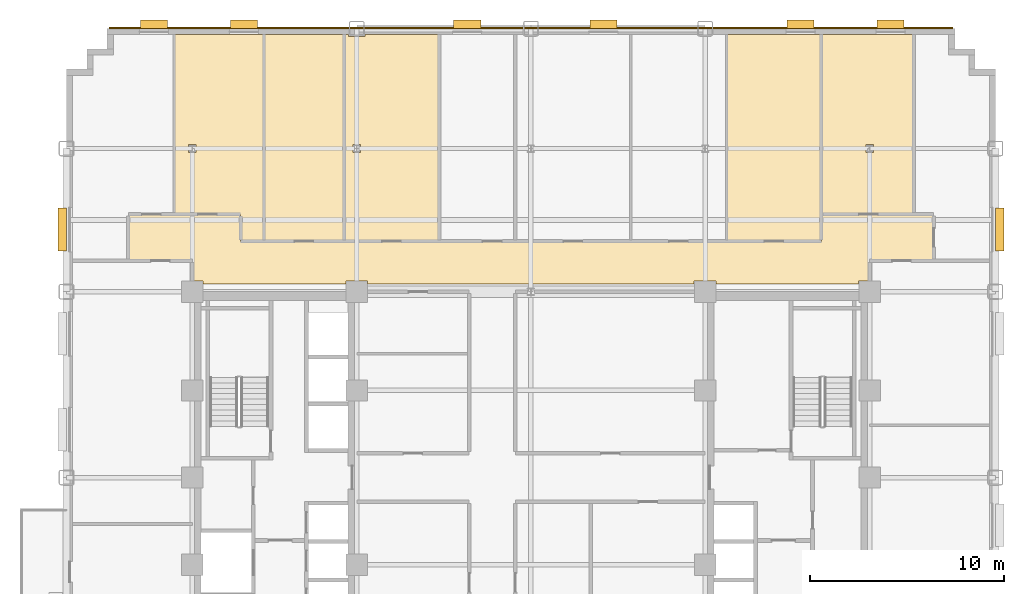
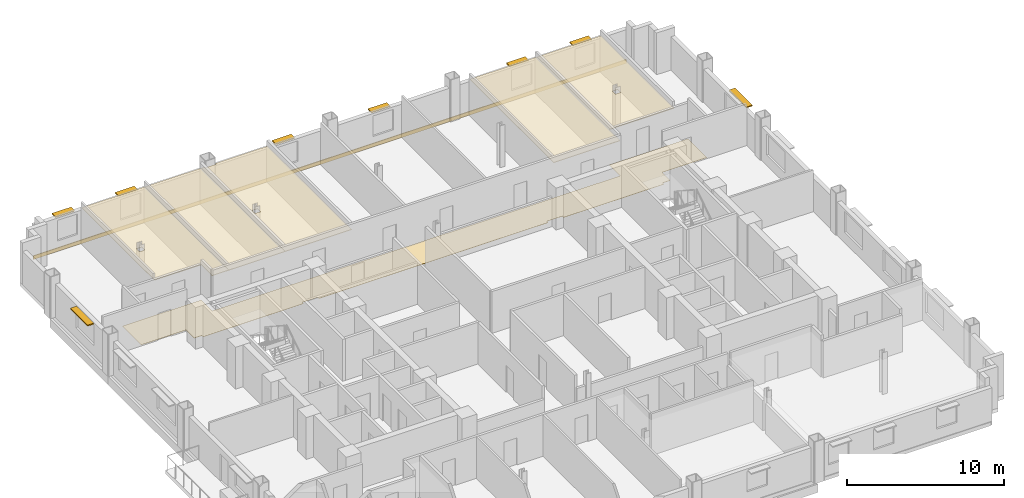
# One storey, part 14 of 14: 8 shading devices, 7 coverings.
"""IFC4 building model written with IfcOpenShell, lengths in metres."""

from ifc_helpers import new_model, si_unit, direction, frame, origin, origin_2d, place, context, subcontext, project, spatial, polyline, rectangle, outline, extrude, source, transform, mapped, material, layer, layer_set, type_object, type_shapes, element, save


model = new_model("IFC4")

# Units and contexts
model_context = context("Model", 3, precision=1e-05, world=origin(), true_north=direction((0.0, 1.0)))
body_context = subcontext(model_context, "Body", "Model", "MODEL_VIEW")
ifc_project = project(units=[si_unit("LENGTHUNIT", "METRE"), si_unit("AREAUNIT", "SQUARE_METRE"), si_unit("VOLUMEUNIT", "CUBIC_METRE"), si_unit("PLANEANGLEUNIT", "RADIAN"), si_unit("MASSUNIT", "GRAM", prefix="KILO")], contexts=[model_context])

# Site, building, storey
site_placement = place(None, origin())
site = spatial("IfcSite", under=ifc_project, at=site_placement, CompositionType="ELEMENT")
building_placement = place(site_placement, origin())
building = spatial("IfcBuilding", under=site, at=building_placement, Name="Nuvemarco Arch Tower", CompositionType="ELEMENT")
storey_placement = place(building_placement, frame((0.0, 0.0, 89.64990234375)))
storey = spatial("IfcBuildingStorey", under=building, at=storey_placement, Name="L23", CompositionType="ELEMENT", Elevation=89.64990234375)

# Coverings
ifc_material_1 = material(Name="Mineral acoustic ceiling tile")
ifc_layer_1 = layer(ifc_material_1, 0.0400390625, Name="COV-ACOUSTIC-CLG")
ifc_layer_set_1 = layer_set([ifc_layer_1], Name="Mineral acoustic ceiling tile")
covering_type_1 = type_object("IfcCoveringType", Name="COV-ACOUSTIC-CLG", PredefinedType="CEILING", material=ifc_layer_set_1)
covering_1_placement = place(storey_placement, frame((0.0, 0.0, 2.72998046875)))
element("IfcCovering", 1, at=covering_1_placement, inside=storey, type_object=covering_type_1, Name="L23 suspended acoustic ceiling 3", PredefinedType="CEILING", context=body_context, shape_type="SweptSolid", body=[
    extrude(outline(polyline([(15.070068359375, 22.8798828125), (15.070068359375, 13.60009765625), (15.0, 13.60009765625), (15.0, 12.199951171875), (10.110107421875, 12.199951171875), (10.110107421875, 22.8798828125), (15.070068359375, 22.8798828125)])), origin(), (0.0, 0.0, 1.0), 0.0400390625),
])
covering_2_placement = place(storey_placement, frame((0.0, 0.0, 2.72998046875)))
element("IfcCovering", 2, at=covering_2_placement, inside=storey, type_object=covering_type_1, Name="L23 suspended acoustic ceiling 5", PredefinedType="CEILING", context=body_context, shape_type="SweptSolid", body=[
    extrude(outline(polyline([(-4.739990234375, 12.199951171875), (-9.64990234375, 12.199951171875), (-9.64990234375, 22.8798828125), (-9.4150390625, 22.8798828125), (-9.4150390625, 22.784912109375), (-8.5849609375, 22.784912109375), (-8.5849609375, 22.8798828125), (-4.739990234375, 22.8798828125), (-4.739990234375, 12.199951171875)]), holes=[polyline([(-8.804931640625, 16.804931640625), (-8.804931640625, 17.195068359375), (-9.195068359375, 17.195068359375), (-9.195068359375, 16.804931640625), (-8.804931640625, 16.804931640625)])]), origin(), (0.0, 0.0, 1.0), 0.0400390625),
])
covering_3_placement = place(storey_placement, frame((0.0, 0.0, 2.72998046875)))
element("IfcCovering", 3, at=covering_3_placement, inside=storey, type_object=covering_type_1, Name="L23 suspended acoustic ceiling 6", PredefinedType="CEILING", context=body_context, shape_type="SweptSolid", body=[
    extrude(outline(polyline([(-13.7900390625, 22.8798828125), (-13.7900390625, 12.199951171875), (-15.0, 12.199951171875), (-15.0, 13.60009765625), (-18.429931640625, 13.60009765625), (-18.429931640625, 22.8798828125), (-13.7900390625, 22.8798828125)]), holes=[polyline([(-17.304931640625, 16.804931640625), (-17.304931640625, 17.195068359375), (-17.695068359375, 17.195068359375), (-17.695068359375, 16.804931640625), (-17.304931640625, 16.804931640625)])]), origin(), (0.0, 0.0, 1.0), 0.0400390625),
])
covering_4_placement = place(storey_placement, frame((0.0, 0.0, 2.72998046875)))
element("IfcCovering", 4, at=covering_4_placement, inside=storey, type_object=covering_type_1, Name="L23 suspended acoustic ceiling 8", PredefinedType="CEILING", context=body_context, shape_type="SweptSolid", body=[
    extrude(outline(polyline([(-13.7900390625, 12.199951171875), (-13.7900390625, 22.8798828125), (-9.64990234375, 22.8798828125), (-9.64990234375, 12.199951171875), (-13.7900390625, 12.199951171875)])), origin(), (0.0, 0.0, 1.0), 0.0400390625),
])
covering_5_placement = place(storey_placement, frame((0.0, 0.0, 2.72998046875)))
element("IfcCovering", 5, at=covering_5_placement, inside=storey, type_object=covering_type_1, Name="L23 suspended acoustic ceiling 9", PredefinedType="CEILING", context=body_context, shape_type="SweptSolid", body=[
    extrude(outline(polyline([(15.070068359375, 13.60009765625), (15.070068359375, 22.8798828125), (19.780029296875, 22.8798828125), (19.780029296875, 13.60009765625), (15.070068359375, 13.60009765625)]), holes=[polyline([(17.695068359375, 16.804931640625), (17.695068359375, 17.195068359375), (17.304931640625, 17.195068359375), (17.304931640625, 16.804931640625), (17.695068359375, 16.804931640625)])]), origin(), (0.0, 0.0, 1.0), 0.0400390625),
])
ifc_material_2 = material(Name="Polished granite terrazzostone flooring", Category="masonry")
ifc_layer_2 = layer(ifc_material_2, 0.02001953125, Name="COV-LOBBY-FLR")
ifc_layer_set_2 = layer_set([ifc_layer_2], Name="Polished granite terrazzostone flooring")
covering_type_2 = type_object("IfcCoveringType", Name="COV-LOBBY-FLR", PredefinedType="FLOORING", material=ifc_layer_set_2)
covering_6_placement = place(storey_placement, origin())
element("IfcCovering", 6, at=covering_6_placement, inside=storey, type_object=covering_type_2, Name="L23 polished terrazzo lobby flooring", PredefinedType="FLOORING", context=body_context, shape_type="SweptSolid", body=[
    extrude(outline(polyline([(-8.43505859375, 10.1650390625), (-9.56494140625, 10.1650390625), (-9.56494140625, 10.0), (-16.93505859375, 10.0), (-16.93505859375, 10.1650390625), (-17.5, 10.1650390625), (-17.5, 11.199951171875), (-20.800048828125, 11.199951171875), (-20.800048828125, 13.60009765625), (-15.0, 13.60009765625), (-15.0, 12.199951171875), (-3.199951171875, 12.199951171875), (-0.800048828125, 12.199951171875), (15.0, 12.199951171875), (15.0, 13.60009765625), (20.800048828125, 13.60009765625), (20.800048828125, 11.199951171875), (17.5, 11.199951171875), (17.5, 10.1650390625), (16.93505859375, 10.1650390625), (16.93505859375, 10.0), (9.56494140625, 10.0), (9.56494140625, 10.1650390625), (8.43505859375, 10.1650390625), (8.43505859375, 10.0), (-8.43505859375, 10.0), (-8.43505859375, 10.1650390625)])), origin(), (0.0, 0.0, 1.0), 0.02001953125),
])

# Shading devices
ifc_material_3 = material(Name="Anodised aluminium 6063-T6", Category="aluminium")
shading_device_type_1 = type_object("IfcShadingDeviceType", Name="SHD-BRISE-SOLEIL", PredefinedType="USERDEFINED", material=ifc_material_3)
shared_shape_1 = source(origin(), body_context, "Body", "SweptSolid", [
    extrude(rectangle(XDim=2.199951171875, YDim=0.449951171875, at=origin_2d()), origin(), (0.0, 0.0, 1.0), 0.080078125),
])
type_shapes(shading_device_type_1, [shared_shape_1])
for number, where, z_axis, x_axis, name in (
    (7, (24.215087890625, 12.81494140625, 2.425048828125), (0.0, 0.0, 1.0), (0.0, 1.0, 0.0), "L23 horizontal brise-soleil sunshade"),
    (8, (-24.215087890625, 12.81494140625, 2.425048828125), (0.0, 0.0, 1.0), (0.0, 1.0, 0.0), "L23 horizontal brise-soleil sunshade"),
):
    element("IfcShadingDevice", number, at=place(storey_placement, frame(where, z_axis=z_axis, x_axis=x_axis)), inside=storey, type_object=shading_device_type_1, Name=name, ObjectType="SUNSHADE", PredefinedType="USERDEFINED", context=body_context, shape_type="MappedRepresentation", body=[
        mapped(shared_shape_1, transform((0.0, 0.0, 0.0), scale=1.0)),
    ])
shading_device_type_2 = type_object("IfcShadingDeviceType", Name="SHD-BRISE-NARROW", PredefinedType="USERDEFINED", material=ifc_material_3)
shared_shape_2 = source(origin(), body_context, "Body", "SweptSolid", [
    extrude(rectangle(XDim=1.39990234375, YDim=0.449951171875, at=origin_2d()), origin(), (0.0, 0.0, 1.0), 0.080078125),
])
type_shapes(shading_device_type_2, [shared_shape_2])
for number, where, z_axis, x_axis, name in (
    (9, (-19.477783203125, 23.4150390625, 2.405029296875), (0.0, 0.0, 1.0), (1.0, 0.0, 0.0), "L23 horizontal brise-soleil sunshade"),
    (10, (-14.833251953125, 23.4150390625, 2.405029296875), (0.0, 0.0, 1.0), (1.0, 0.0, 0.0), "L23 horizontal brise-soleil sunshade"),
    (11, (-3.29443359375, 23.4150390625, 2.405029296875), (0.0, 0.0, 1.0), (1.0, 0.0, 0.0), "L23 horizontal brise-soleil sunshade"),
    (12, (3.744384765625, 23.4150390625, 2.405029296875), (0.0, 0.0, 1.0), (1.0, 0.0, 0.0), "L23 horizontal brise-soleil sunshade"),
    (13, (13.933349609375, 23.4150390625, 2.405029296875), (0.0, 0.0, 1.0), (1.0, 0.0, 0.0), "L23 horizontal brise-soleil sunshade"),
    (14, (18.577880859375, 23.4150390625, 2.405029296875), (0.0, 0.0, 1.0), (1.0, 0.0, 0.0), "L23 horizontal brise-soleil sunshade"),
):
    element("IfcShadingDevice", number, at=place(storey_placement, frame(where, z_axis=z_axis, x_axis=x_axis)), inside=storey, type_object=shading_device_type_2, Name=name, ObjectType="SUNSHADE", PredefinedType="USERDEFINED", context=body_context, shape_type="MappedRepresentation", body=[
        mapped(shared_shape_2, transform((0.0, 0.0, 0.0), scale=1.0)),
    ])

# Covering
ifc_material_4 = material(Name="Precast concrete C45/55", Category="concrete")
ifc_layer_3 = layer(ifc_material_4, 0.06005859375, Name="COV-SPANDREL-CLAD")
ifc_layer_set_3 = layer_set([ifc_layer_3], Name="Precast concrete C45/55")
covering_type_3 = type_object("IfcCoveringType", Name="COV-SPANDREL-CLAD", PredefinedType="CLADDING", material=ifc_layer_set_3)
shared_shape_3 = source(origin(), body_context, "Body", "SweptSolid", [
    extrude(rectangle(XDim=43.60009765625, YDim=0.06005859375, at=origin_2d()), origin(), (0.0, 0.0, 1.0), 0.280029296875),
])
type_shapes(covering_type_3, [shared_shape_3])
covering_7_placement = place(storey_placement, frame((0.0, 23.22900390625, -0.27978515625), z_axis=(0.0, 0.0, 1.0), x_axis=(1.0, 0.0, 0.0)))
element("IfcCovering", 15, at=covering_7_placement, inside=storey, type_object=covering_type_3, Name="L23 precast spandrel edge cladding north", PredefinedType="CLADDING", context=body_context, shape_type="MappedRepresentation", body=[
    mapped(shared_shape_3, transform((0.0, 0.0, 0.0), scale=1.0)),
])

save(model, "model.ifc")
